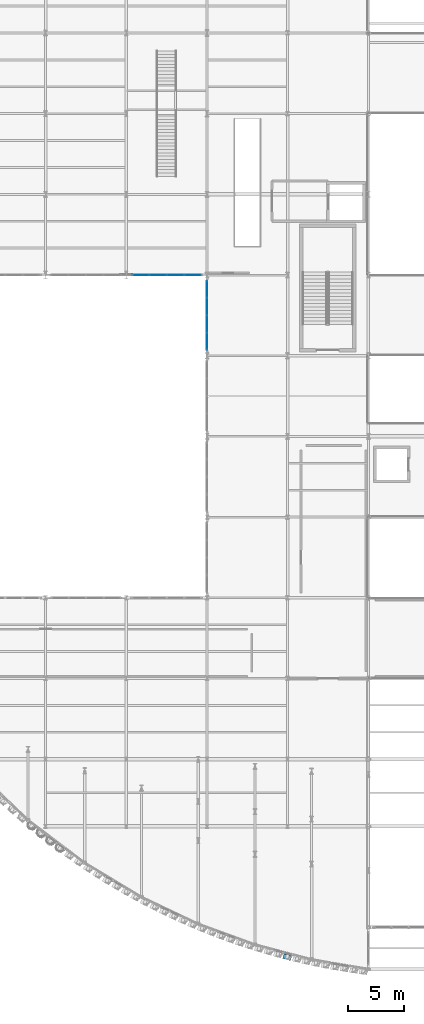
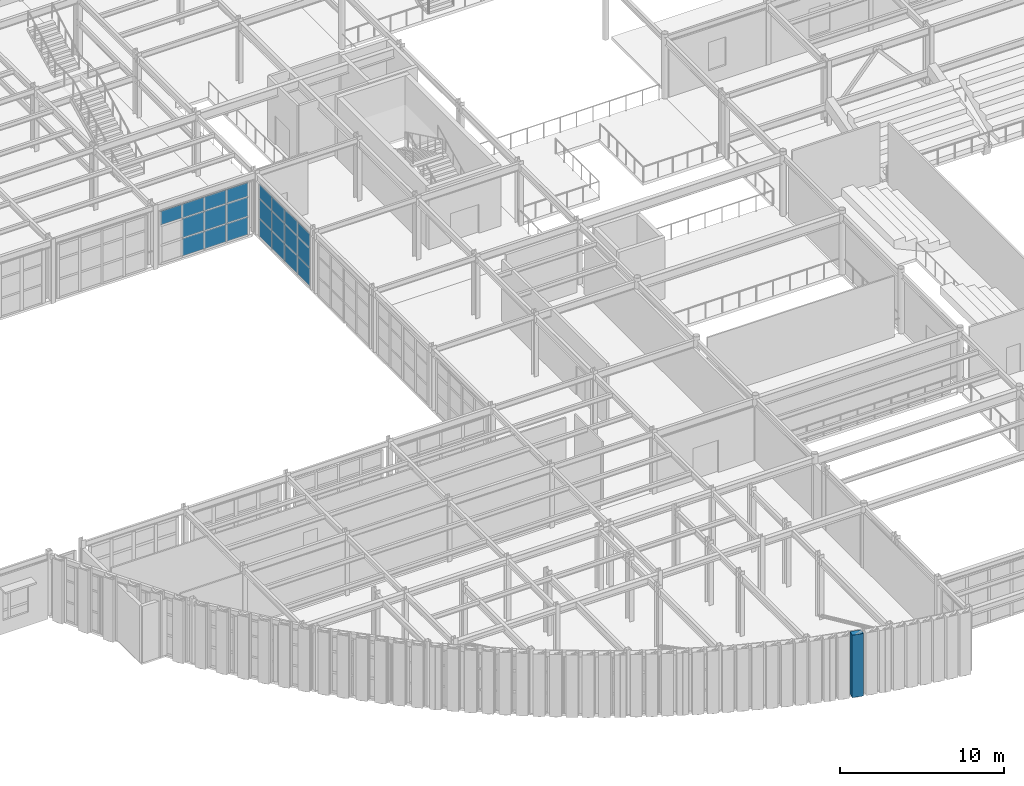
# One storey, part 81 of 121: 23 plates, 2 elements without a shape of their own.
"""IFC4 building model written with IfcOpenShell, lengths in metres."""

import ifcopenshell
import ifcopenshell.guid

model = None  # the IFC model being written
_history = None  # IfcOwnerHistory: only IFC2X3 demands one
_inside = {}  # id of a spatial element -> (the spatial element, [elements in it])
_under = {}  # id of a project, library or spatial element -> (it, [spatial elements below it])
_declared = {}  # id of a project -> (the project, [libraries it declares])
_typed = {}  # id of a type object -> (the type object, [elements of that type])
_made_of = {}  # id of a material, layer set ... -> (it, [elements and type objects made of it])


def new_model(schema):
    """Start an empty IFC model of exactly this schema.

    Asked for "IFC4X3", IfcOpenShell would pick the latest addendum, in which some entities
    have other attributes; the version numbers below select the first issue.
    IFC2X3 requires an IfcOwnerHistory on every rooted entity: one is made here for all.
    """
    global model, _history
    if schema == "IFC4X3":
        model = ifcopenshell.file(schema_version=(4, 3, 0, 0))
    else:
        model = ifcopenshell.file(schema=schema)
    _inside.clear()
    _under.clear()
    _declared.clear()
    _typed.clear()
    _made_of.clear()
    _history = None
    if model.schema == "IFC2X3":
        org = make("IfcOrganization", Name="unknown")
        user = make(
            "IfcPersonAndOrganization",
            ThePerson=make("IfcPerson", FamilyName="unknown"),
            TheOrganization=org,
        )
        app = make(
            "IfcApplication",
            ApplicationDeveloper=org,
            Version="unknown",
            ApplicationFullName="unknown",
            ApplicationIdentifier="unknown",
        )
        _history = make(
            "IfcOwnerHistory",
            OwningUser=user,
            OwningApplication=app,
            ChangeAction="ADDED",
            CreationDate=0,
        )
    return model


def make(cls, **values):
    """One entity of the class cls with the attributes given. An attribute that is None is left unset."""
    return model.create_entity(
        cls, **{name: value for name, value in values.items() if value is not None}
    )


def rooted(cls, **values):
    """An entity with a GlobalId (a new one), such as an element, a storey or a relation."""
    return make(cls, GlobalId=ifcopenshell.guid.new(), OwnerHistory=_history, **values)


def si_unit(unit_type, name, prefix=None):
    """IfcSIUnit, for example si_unit("LENGTHUNIT", "METRE", prefix="MILLI")."""
    return make("IfcSIUnit", UnitType=unit_type, Prefix=prefix, Name=name)


def assignment(units):
    """IfcUnitAssignment: the units of a project."""
    return None if units is None else make("IfcUnitAssignment", Units=units)


def point(xyz):
    """IfcCartesianPoint."""
    return None if xyz is None else make("IfcCartesianPoint", Coordinates=xyz)


def direction(xyz):
    """IfcDirection."""
    return None if xyz is None else make("IfcDirection", DirectionRatios=xyz)


def frame(location, z_axis=None, x_axis=None):
    """IfcAxis2Placement3D, a coordinate frame: its origin and axes. An axis left out is left unset."""
    return make(
        "IfcAxis2Placement3D",
        Location=point(location),
        Axis=direction(z_axis),
        RefDirection=direction(x_axis),
    )


def frame_2d(location, x_axis=None):
    """IfcAxis2Placement2D, a coordinate frame in the plane: its origin and x axis."""
    return make(
        "IfcAxis2Placement2D", Location=point(location), RefDirection=direction(x_axis)
    )


def origin():
    """The frame at (0, 0, 0) with its axes left unset."""
    return frame((0.0, 0.0, 0.0))


def origin_2d():
    """The frame at (0, 0) in the plane with its x axis left unset."""
    return frame_2d((0.0, 0.0))


def place(relative_to, where):
    """IfcLocalPlacement: puts the frame where relative to a parent placement (None: the world)."""
    return make(
        "IfcLocalPlacement", PlacementRelTo=relative_to, RelativePlacement=where
    )


def context(
    kind, dimensions, precision=None, world=None, true_north=None, identifier=None
):
    """IfcGeometricRepresentationContext, for example the 3D "Model" context."""
    return make(
        "IfcGeometricRepresentationContext",
        ContextIdentifier=identifier,
        ContextType=kind,
        CoordinateSpaceDimension=dimensions,
        Precision=precision,
        WorldCoordinateSystem=world,
        TrueNorth=true_north,
    )


def subcontext(parent, identifier, kind, view, scale=None):
    """IfcGeometricRepresentationSubContext, for example "Body" below "Model"."""
    return make(
        "IfcGeometricRepresentationSubContext",
        ContextIdentifier=identifier,
        ContextType=kind,
        ParentContext=parent,
        TargetScale=scale,
        TargetView=view,
    )


def project(units=None, contexts=None):
    """IfcProject with its units and contexts."""
    return rooted(
        "IfcProject",
        Name="project",
        RepresentationContexts=contexts,
        UnitsInContext=assignment(units),
    )


def spatial(cls, under=None, at=None, **own):
    """A site, building, storey or space (cls), placed at a placement, below another one or the project."""
    s = rooted(cls, ObjectPlacement=at, **own)
    if under is not None:
        _under.setdefault(under.id(), (under, []))[1].append(s)
    return s


def profile(cls, at=None, kind="AREA", **sizes):
    """A parametric profile (cls). Its sizes go by their IFC names, for example OverallWidth=200.0."""
    return make(cls, ProfileType=kind, Position=at, **sizes)


def rectangle(**sizes):
    """IfcRectangleProfileDef."""
    return profile("IfcRectangleProfileDef", **sizes)


def extrude(swept, where, along, depth):
    """IfcExtrudedAreaSolid: the profile swept, set in the frame where, extruded along a direction by depth."""
    return make(
        "IfcExtrudedAreaSolid",
        SweptArea=swept,
        Position=where,
        ExtrudedDirection=direction(along),
        Depth=depth,
    )


def shape(context_of_items, identifier, shape_type, items):
    """IfcShapeRepresentation: the items that make up one representation, for example the "Body"."""
    return make(
        "IfcShapeRepresentation",
        ContextOfItems=context_of_items,
        RepresentationIdentifier=identifier,
        RepresentationType=shape_type,
        Items=items,
    )


def material(Name=None, Category=None):
    """IfcMaterial."""
    return make("IfcMaterial", Name=Name, Category=Category)


def layer(
    of_material, thickness, ventilated=None, Name=None, Category=None, Priority=None
):
    """IfcMaterialLayer: one layer of a wall or slab, of a material (None: an air gap)."""
    return make(
        "IfcMaterialLayer",
        Material=of_material,
        LayerThickness=thickness,
        IsVentilated=ventilated,
        Name=Name,
        Category=Category,
        Priority=Priority,
    )


def layer_set(layers, Name=None):
    """IfcMaterialLayerSet."""
    return make("IfcMaterialLayerSet", MaterialLayers=layers, LayerSetName=Name)


def made_of(thing, what):
    """Note that an element or type object is made of a material, layer set ...; save() writes the relation."""
    if what is not None:
        _made_of.setdefault(what.id(), (what, []))[1].append(thing)
    return thing


def type_object(cls, material=None, **own):
    """A type object (cls), such as IfcWallType, which elements share."""
    return made_of(rooted(cls, **own), material)


def element(
    cls,
    number,
    at=None,
    inside=None,
    cuts=None,
    type_object=None,
    material=None,
    context=None,
    identifier="Body",
    shape_type=None,
    held_by="IfcProductDefinitionShape",
    body=None,
    shapes=None,
    **own,
):
    """One element of the class cls, such as IfcWall. Its Tag is "e" and its number.

    at: its placement. inside: the storey or other place that contains it. cuts: it is an
    opening in that element (IfcRelVoidsElement). A single representation is given by context,
    identifier, shape_type and body (its items); several are given by shapes. held_by: the class
    of the entity that holds the representations. save() writes the other relations.
    """
    e = rooted(cls, Tag="e%d" % number, ObjectPlacement=at, **own)
    if body is not None:
        shapes = [shape(context, identifier, shape_type, body)]
    if shapes is not None:
        e.Representation = make(held_by, Representations=shapes)
    if inside is not None:
        _inside.setdefault(inside.id(), (inside, []))[1].append(e)
    if cuts is not None:
        rooted(
            "IfcRelVoidsElement", RelatingBuildingElement=cuts, RelatedOpeningElement=e
        )
    if type_object is not None:
        _typed.setdefault(type_object.id(), (type_object, []))[1].append(e)
    return made_of(e, material)


def aggregate(whole, parts):
    """IfcRelAggregates: a whole, such as a stair, and the parts it consists of."""
    return rooted("IfcRelAggregates", RelatingObject=whole, RelatedObjects=parts)


def save(model, path):
    """Write the relations noted so far, then the file.

    IfcRelAggregates (storeys below a building ...), IfcRelContainedInSpatialStructure (elements
    in a storey), IfcRelDefinesByType, IfcRelAssociatesMaterial and IfcRelDeclares: one each for
    every whole, place, type object, material and project.
    """
    for whole, parts in _under.values():
        aggregate(whole, parts)
    for where, things in _inside.values():
        rooted(
            "IfcRelContainedInSpatialStructure",
            RelatedElements=things,
            RelatingStructure=where,
        )
    for kind, things in _typed.values():
        rooted("IfcRelDefinesByType", RelatedObjects=things, RelatingType=kind)
    for what, things in _made_of.values():
        rooted("IfcRelAssociatesMaterial", RelatedObjects=things, RelatingMaterial=what)
    for by, libraries in _declared.values():
        rooted("IfcRelDeclares", RelatingContext=by, RelatedDefinitions=libraries)
    model.write(path)


model = new_model("IFC4")

# Units and contexts
model_context = context("Model", 3, precision=1e-05, world=origin(), true_north=direction((0.0, 1.0)))
body_context = subcontext(model_context, "Body", "Model", "MODEL_VIEW")
ifc_project = project(units=[si_unit("LENGTHUNIT", "METRE"), si_unit("AREAUNIT", "SQUARE_METRE"), si_unit("VOLUMEUNIT", "CUBIC_METRE"), si_unit("PLANEANGLEUNIT", "RADIAN"), si_unit("MASSUNIT", "GRAM", prefix="KILO")], contexts=[model_context])

# Site, building, storey
site_placement = place(None, origin())
site = spatial("IfcSite", under=ifc_project, at=site_placement, CompositionType="ELEMENT")
building_placement = place(site_placement, origin())
building = spatial("IfcBuilding", under=site, at=building_placement, Name="Solvadek Multi-Sports Hall", CompositionType="ELEMENT")
storey_placement = place(building_placement, frame((0.0, 0.0, 4.800048828125)))
storey = spatial("IfcBuildingStorey", under=building, at=storey_placement, Name="L01", CompositionType="ELEMENT", Elevation=4.800048828125)

# Curtain wall, plates
ifc_material_1 = material(Name="Anodised aluminium", Category="aluminium")
ifc_layer_1 = layer(ifc_material_1, 0.159912109375, Name="Anodised aluminium")
ifc_layer_set_1 = layer_set([ifc_layer_1], Name="Anodised aluminium")
curtain_wall_type = type_object("IfcCurtainWallType", Name="ENV-CW-624X400", PredefinedType="USERDEFINED", material=ifc_layer_set_1)
curtain_wall_1_placement = place(storey_placement, origin())
curtain_wall_1 = element("IfcCurtainWall", 1, at=curtain_wall_1_placement, inside=storey, type_object=curtain_wall_type, Name="L01 Perimeter Bay Curtain Wall #178", ObjectType="CURTAIN WALL", PredefinedType="USERDEFINED")
ifc_material_2 = material(Name="Tempered laminated low-E glass", Category="glass")
ifc_layer_2 = layer(ifc_material_2, 0.02392578125, Name="Tempered laminated low-E glass")
ifc_layer_set_2 = layer_set([ifc_layer_2], Name="Tempered laminated low-E glass")
plate_type_1 = type_object("IfcPlateType", Name="ENV-CWP-01", PredefinedType="CURTAIN_PANEL", material=ifc_layer_set_2)
plate_1_placement = place(storey_placement, frame((51.675048828125, 49.199951171875, 2.912353515625), z_axis=(0.0, 0.0, 1.0), x_axis=(1.0, 0.0, 0.0)))
plate_1 = element("IfcPlate", 2, at=plate_1_placement, type_object=plate_type_1, Name="CW-56 panel 1.3", PredefinedType="CURTAIN_PANEL", context=body_context, shape_type="SweptSolid", body=[
    extrude(rectangle(XDim=1.469970703125, YDim=0.02392578125, at=origin_2d()), origin(), (0.0, 0.0, 1.0), 1.0224609375),
])
plate_2_placement = place(storey_placement, frame((53.219970703125, 49.199951171875, 0.06494140625), z_axis=(0.0, 0.0, 1.0), x_axis=(1.0, 0.0, 0.0)))
plate_2 = element("IfcPlate", 3, at=plate_2_placement, type_object=plate_type_1, Name="CW-56 panel 2.1", PredefinedType="CURTAIN_PANEL", context=body_context, shape_type="SweptSolid", body=[
    extrude(rectangle(XDim=1.5, YDim=0.02392578125, at=origin_2d()), origin(), (0.0, 0.0, 1.0), 1.302490234375),
])
plate_3_placement = place(storey_placement, frame((53.219970703125, 49.199951171875, 1.432373046875), z_axis=(0.0, 0.0, 1.0), x_axis=(1.0, 0.0, 0.0)))
plate_3 = element("IfcPlate", 4, at=plate_3_placement, type_object=plate_type_1, Name="CW-56 panel 2.2", PredefinedType="CURTAIN_PANEL", context=body_context, shape_type="SweptSolid", body=[
    extrude(rectangle(XDim=1.5, YDim=0.02392578125, at=origin_2d()), origin(), (0.0, 0.0, 1.0), 1.4150390625),
])
plate_4_placement = place(storey_placement, frame((53.219970703125, 49.199951171875, 2.912353515625), z_axis=(0.0, 0.0, 1.0), x_axis=(1.0, 0.0, 0.0)))
plate_4 = element("IfcPlate", 5, at=plate_4_placement, type_object=plate_type_1, Name="CW-56 panel 2.3", PredefinedType="CURTAIN_PANEL", context=body_context, shape_type="SweptSolid", body=[
    extrude(rectangle(XDim=1.5, YDim=0.02392578125, at=origin_2d()), origin(), (0.0, 0.0, 1.0), 1.0224609375),
])
plate_5_placement = place(storey_placement, frame((54.780029296875, 49.199951171875, 0.06494140625), z_axis=(0.0, 0.0, 1.0), x_axis=(1.0, 0.0, 0.0)))
plate_5 = element("IfcPlate", 6, at=plate_5_placement, type_object=plate_type_1, Name="CW-56 panel 3.1", PredefinedType="CURTAIN_PANEL", context=body_context, shape_type="SweptSolid", body=[
    extrude(rectangle(XDim=1.5, YDim=0.02392578125, at=origin_2d()), origin(), (0.0, 0.0, 1.0), 1.302490234375),
])
plate_6_placement = place(storey_placement, frame((54.780029296875, 49.199951171875, 1.432373046875), z_axis=(0.0, 0.0, 1.0), x_axis=(1.0, 0.0, 0.0)))
plate_6 = element("IfcPlate", 7, at=plate_6_placement, type_object=plate_type_1, Name="CW-56 panel 3.2", PredefinedType="CURTAIN_PANEL", context=body_context, shape_type="SweptSolid", body=[
    extrude(rectangle(XDim=1.5, YDim=0.02392578125, at=origin_2d()), origin(), (0.0, 0.0, 1.0), 1.4150390625),
])
plate_7_placement = place(storey_placement, frame((54.780029296875, 49.199951171875, 2.912353515625), z_axis=(0.0, 0.0, 1.0), x_axis=(1.0, 0.0, 0.0)))
plate_7 = element("IfcPlate", 8, at=plate_7_placement, type_object=plate_type_1, Name="CW-56 panel 3.3", PredefinedType="CURTAIN_PANEL", context=body_context, shape_type="SweptSolid", body=[
    extrude(rectangle(XDim=1.5, YDim=0.02392578125, at=origin_2d()), origin(), (0.0, 0.0, 1.0), 1.0224609375),
])
plate_8_placement = place(storey_placement, frame((56.324951171875, 49.199951171875, 0.06494140625), z_axis=(0.0, 0.0, 1.0), x_axis=(1.0, 0.0, 0.0)))
plate_8 = element("IfcPlate", 9, at=plate_8_placement, type_object=plate_type_1, Name="CW-56 panel 4.1", PredefinedType="CURTAIN_PANEL", context=body_context, shape_type="SweptSolid", body=[
    extrude(rectangle(XDim=1.469970703125, YDim=0.02392578125, at=origin_2d()), origin(), (0.0, 0.0, 1.0), 1.302490234375),
])
plate_9_placement = place(storey_placement, frame((56.324951171875, 49.199951171875, 1.432373046875), z_axis=(0.0, 0.0, 1.0), x_axis=(1.0, 0.0, 0.0)))
plate_9 = element("IfcPlate", 10, at=plate_9_placement, type_object=plate_type_1, Name="CW-56 panel 4.2", PredefinedType="CURTAIN_PANEL", context=body_context, shape_type="SweptSolid", body=[
    extrude(rectangle(XDim=1.469970703125, YDim=0.02392578125, at=origin_2d()), origin(), (0.0, 0.0, 1.0), 1.4150390625),
])
plate_10_placement = place(storey_placement, frame((56.324951171875, 49.199951171875, 2.912353515625), z_axis=(0.0, 0.0, 1.0), x_axis=(1.0, 0.0, 0.0)))
plate_10 = element("IfcPlate", 11, at=plate_10_placement, type_object=plate_type_1, Name="CW-56 panel 4.3", PredefinedType="CURTAIN_PANEL", context=body_context, shape_type="SweptSolid", body=[
    extrude(rectangle(XDim=1.469970703125, YDim=0.02392578125, at=origin_2d()), origin(), (0.0, 0.0, 1.0), 1.0224609375),
])
aggregate(curtain_wall_1, [plate_1, plate_2, plate_3, plate_4, plate_5, plate_6, plate_7, plate_8, plate_9, plate_10])

curtain_wall_2_placement = place(storey_placement, origin())
curtain_wall_2 = element("IfcCurtainWall", 12, at=curtain_wall_2_placement, inside=storey, type_object=curtain_wall_type, Name="L01 Perimeter Bay Curtain Wall #201", ObjectType="CURTAIN WALL", PredefinedType="USERDEFINED")
plate_11_placement = place(storey_placement, frame((57.60009765625, 43.27490234375, 0.06494140625), z_axis=(0.0, 0.0, 1.0), x_axis=(0.0, 1.0, 0.0)))
plate_11 = element("IfcPlate", 13, at=plate_11_placement, type_object=plate_type_1, Name="CW-56 panel 1.1", PredefinedType="CURTAIN_PANEL", context=body_context, shape_type="SweptSolid", body=[
    extrude(rectangle(XDim=1.469970703125, YDim=0.02392578125, at=origin_2d()), origin(), (0.0, 0.0, 1.0), 1.302490234375),
])
plate_12_placement = place(storey_placement, frame((57.60009765625, 43.27490234375, 1.432373046875), z_axis=(0.0, 0.0, 1.0), x_axis=(0.0, 1.0, 0.0)))
plate_12 = element("IfcPlate", 14, at=plate_12_placement, type_object=plate_type_1, Name="CW-56 panel 1.2", PredefinedType="CURTAIN_PANEL", context=body_context, shape_type="SweptSolid", body=[
    extrude(rectangle(XDim=1.469970703125, YDim=0.02392578125, at=origin_2d()), origin(), (0.0, 0.0, 1.0), 1.4150390625),
])
plate_13_placement = place(storey_placement, frame((57.60009765625, 43.27490234375, 2.912353515625), z_axis=(0.0, 0.0, 1.0), x_axis=(0.0, 1.0, 0.0)))
plate_13 = element("IfcPlate", 15, at=plate_13_placement, type_object=plate_type_1, Name="CW-56 panel 1.3", PredefinedType="CURTAIN_PANEL", context=body_context, shape_type="SweptSolid", body=[
    extrude(rectangle(XDim=1.469970703125, YDim=0.02392578125, at=origin_2d()), origin(), (0.0, 0.0, 1.0), 1.0224609375),
])
plate_14_placement = place(storey_placement, frame((57.60009765625, 44.820068359375, 0.06494140625), z_axis=(0.0, 0.0, 1.0), x_axis=(0.0, 1.0, 0.0)))
plate_14 = element("IfcPlate", 16, at=plate_14_placement, type_object=plate_type_1, Name="CW-56 panel 2.1", PredefinedType="CURTAIN_PANEL", context=body_context, shape_type="SweptSolid", body=[
    extrude(rectangle(XDim=1.5, YDim=0.02392578125, at=origin_2d()), origin(), (0.0, 0.0, 1.0), 1.302490234375),
])
plate_15_placement = place(storey_placement, frame((57.60009765625, 44.820068359375, 1.432373046875), z_axis=(0.0, 0.0, 1.0), x_axis=(0.0, 1.0, 0.0)))
plate_15 = element("IfcPlate", 17, at=plate_15_placement, type_object=plate_type_1, Name="CW-56 panel 2.2", PredefinedType="CURTAIN_PANEL", context=body_context, shape_type="SweptSolid", body=[
    extrude(rectangle(XDim=1.5, YDim=0.02392578125, at=origin_2d()), origin(), (0.0, 0.0, 1.0), 1.4150390625),
])
plate_16_placement = place(storey_placement, frame((57.60009765625, 44.820068359375, 2.912353515625), z_axis=(0.0, 0.0, 1.0), x_axis=(0.0, 1.0, 0.0)))
plate_16 = element("IfcPlate", 18, at=plate_16_placement, type_object=plate_type_1, Name="CW-56 panel 2.3", PredefinedType="CURTAIN_PANEL", context=body_context, shape_type="SweptSolid", body=[
    extrude(rectangle(XDim=1.5, YDim=0.02392578125, at=origin_2d()), origin(), (0.0, 0.0, 1.0), 1.0224609375),
])
plate_17_placement = place(storey_placement, frame((57.60009765625, 46.3798828125, 0.06494140625), z_axis=(0.0, 0.0, 1.0), x_axis=(0.0, 1.0, 0.0)))
plate_17 = element("IfcPlate", 19, at=plate_17_placement, type_object=plate_type_1, Name="CW-56 panel 3.1", PredefinedType="CURTAIN_PANEL", context=body_context, shape_type="SweptSolid", body=[
    extrude(rectangle(XDim=1.5, YDim=0.02392578125, at=origin_2d()), origin(), (0.0, 0.0, 1.0), 1.302490234375),
])
plate_18_placement = place(storey_placement, frame((57.60009765625, 46.3798828125, 1.432373046875), z_axis=(0.0, 0.0, 1.0), x_axis=(0.0, 1.0, 0.0)))
plate_18 = element("IfcPlate", 20, at=plate_18_placement, type_object=plate_type_1, Name="CW-56 panel 3.2", PredefinedType="CURTAIN_PANEL", context=body_context, shape_type="SweptSolid", body=[
    extrude(rectangle(XDim=1.5, YDim=0.02392578125, at=origin_2d()), origin(), (0.0, 0.0, 1.0), 1.4150390625),
])
plate_19_placement = place(storey_placement, frame((57.60009765625, 46.3798828125, 2.912353515625), z_axis=(0.0, 0.0, 1.0), x_axis=(0.0, 1.0, 0.0)))
plate_19 = element("IfcPlate", 21, at=plate_19_placement, type_object=plate_type_1, Name="CW-56 panel 3.3", PredefinedType="CURTAIN_PANEL", context=body_context, shape_type="SweptSolid", body=[
    extrude(rectangle(XDim=1.5, YDim=0.02392578125, at=origin_2d()), origin(), (0.0, 0.0, 1.0), 1.0224609375),
])
plate_20_placement = place(storey_placement, frame((57.60009765625, 47.925048828125, 0.06494140625), z_axis=(0.0, 0.0, 1.0), x_axis=(0.0, 1.0, 0.0)))
plate_20 = element("IfcPlate", 22, at=plate_20_placement, type_object=plate_type_1, Name="CW-56 panel 4.1", PredefinedType="CURTAIN_PANEL", context=body_context, shape_type="SweptSolid", body=[
    extrude(rectangle(XDim=1.469970703125, YDim=0.02392578125, at=origin_2d()), origin(), (0.0, 0.0, 1.0), 1.302490234375),
])
plate_21_placement = place(storey_placement, frame((57.60009765625, 47.925048828125, 1.432373046875), z_axis=(0.0, 0.0, 1.0), x_axis=(0.0, 1.0, 0.0)))
plate_21 = element("IfcPlate", 23, at=plate_21_placement, type_object=plate_type_1, Name="CW-56 panel 4.2", PredefinedType="CURTAIN_PANEL", context=body_context, shape_type="SweptSolid", body=[
    extrude(rectangle(XDim=1.469970703125, YDim=0.02392578125, at=origin_2d()), origin(), (0.0, 0.0, 1.0), 1.4150390625),
])
plate_22_placement = place(storey_placement, frame((57.60009765625, 47.925048828125, 2.912353515625), z_axis=(0.0, 0.0, 1.0), x_axis=(0.0, 1.0, 0.0)))
plate_22 = element("IfcPlate", 24, at=plate_22_placement, type_object=plate_type_1, Name="CW-56 panel 4.3", PredefinedType="CURTAIN_PANEL", context=body_context, shape_type="SweptSolid", body=[
    extrude(rectangle(XDim=1.469970703125, YDim=0.02392578125, at=origin_2d()), origin(), (0.0, 0.0, 1.0), 1.0224609375),
])
aggregate(curtain_wall_2, [plate_11, plate_12, plate_13, plate_14, plate_15, plate_16, plate_17, plate_18, plate_19, plate_20, plate_21, plate_22])

# Plate
ifc_material_3 = material(Name="Perforated champagne-bronze anodised aluminium", Category="aluminium")
ifc_layer_3 = layer(ifc_material_3, 0.419921875, Name="Perforated champagne-bronze anodised aluminium")
ifc_layer_set_3 = layer_set([ifc_layer_3], Name="Perforated champagne-bronze anodised aluminium")
plate_type_2 = type_object("IfcPlateType", Name="ENV-FLT-440", PredefinedType="USERDEFINED", material=ifc_layer_set_3)
plate_23_placement = place(storey_placement, frame((64.754638671875, -11.683349609375, 0.0400390625), z_axis=(0.0, 0.0, 1.0), x_axis=(0.967172504077, -0.25412073382, 0.0)))
element("IfcPlate", 25, at=plate_23_placement, inside=storey, type_object=plate_type_2, Name="L01 Half-Cylinder Colonnade Flute #90", ObjectType="FLANGED_SHEET", PredefinedType="USERDEFINED", context=body_context, shape_type="SweptSolid", body=[
    extrude(rectangle(XDim=0.719970703125, YDim=0.419921875, at=origin_2d()), origin(), (0.0, 0.0, 1.0), 4.64990234375),
])

save(model, "model.ifc")
